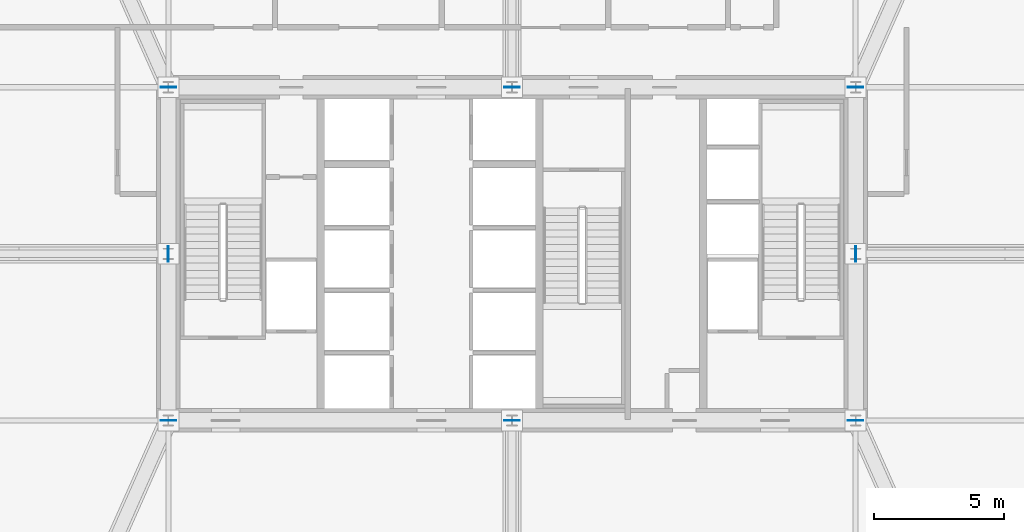
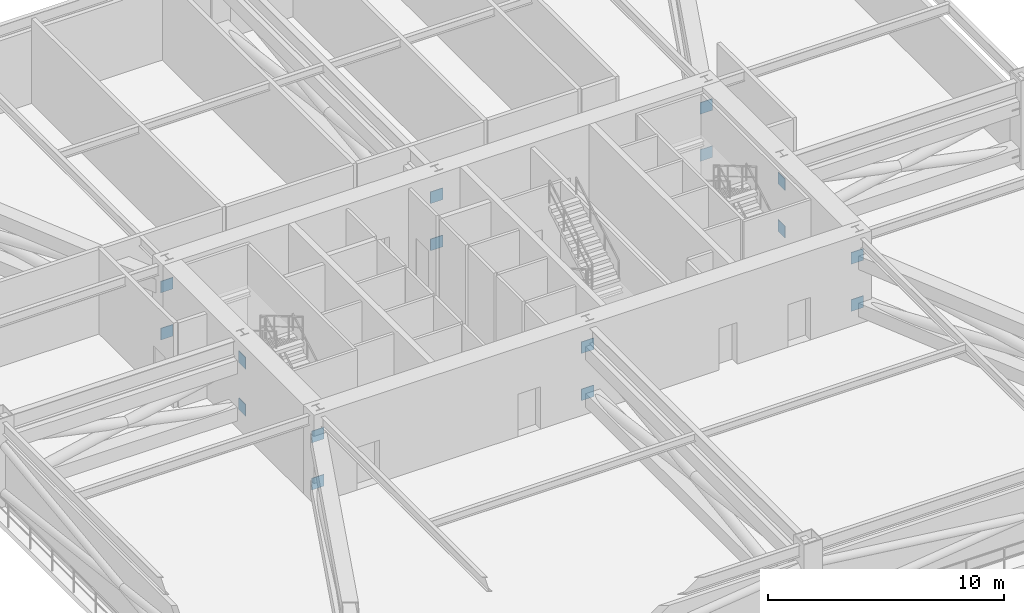
# One storey, part 7 of 11: 16 discrete accessories.
"""IFC4 building model written with IfcOpenShell, lengths in metres."""

import ifcopenshell
import ifcopenshell.guid

model = None  # the IFC model being written
_history = None  # IfcOwnerHistory: only IFC2X3 demands one
_inside = {}  # id of a spatial element -> (the spatial element, [elements in it])
_under = {}  # id of a project, library or spatial element -> (it, [spatial elements below it])
_declared = {}  # id of a project -> (the project, [libraries it declares])
_typed = {}  # id of a type object -> (the type object, [elements of that type])
_made_of = {}  # id of a material, layer set ... -> (it, [elements and type objects made of it])


def new_model(schema):
    """Start an empty IFC model of exactly this schema.

    Asked for "IFC4X3", IfcOpenShell would pick the latest addendum, in which some entities
    have other attributes; the version numbers below select the first issue.
    IFC2X3 requires an IfcOwnerHistory on every rooted entity: one is made here for all.
    """
    global model, _history
    if schema == "IFC4X3":
        model = ifcopenshell.file(schema_version=(4, 3, 0, 0))
    else:
        model = ifcopenshell.file(schema=schema)
    _inside.clear()
    _under.clear()
    _declared.clear()
    _typed.clear()
    _made_of.clear()
    _history = None
    if model.schema == "IFC2X3":
        org = make("IfcOrganization", Name="unknown")
        user = make(
            "IfcPersonAndOrganization",
            ThePerson=make("IfcPerson", FamilyName="unknown"),
            TheOrganization=org,
        )
        app = make(
            "IfcApplication",
            ApplicationDeveloper=org,
            Version="unknown",
            ApplicationFullName="unknown",
            ApplicationIdentifier="unknown",
        )
        _history = make(
            "IfcOwnerHistory",
            OwningUser=user,
            OwningApplication=app,
            ChangeAction="ADDED",
            CreationDate=0,
        )
    return model


def make(cls, **values):
    """One entity of the class cls with the attributes given. An attribute that is None is left unset."""
    return model.create_entity(
        cls, **{name: value for name, value in values.items() if value is not None}
    )


def rooted(cls, **values):
    """An entity with a GlobalId (a new one), such as an element, a storey or a relation."""
    return make(cls, GlobalId=ifcopenshell.guid.new(), OwnerHistory=_history, **values)


def si_unit(unit_type, name, prefix=None):
    """IfcSIUnit, for example si_unit("LENGTHUNIT", "METRE", prefix="MILLI")."""
    return make("IfcSIUnit", UnitType=unit_type, Prefix=prefix, Name=name)


def assignment(units):
    """IfcUnitAssignment: the units of a project."""
    return None if units is None else make("IfcUnitAssignment", Units=units)


def point(xyz):
    """IfcCartesianPoint."""
    return None if xyz is None else make("IfcCartesianPoint", Coordinates=xyz)


def direction(xyz):
    """IfcDirection."""
    return None if xyz is None else make("IfcDirection", DirectionRatios=xyz)


def frame(location, z_axis=None, x_axis=None):
    """IfcAxis2Placement3D, a coordinate frame: its origin and axes. An axis left out is left unset."""
    return make(
        "IfcAxis2Placement3D",
        Location=point(location),
        Axis=direction(z_axis),
        RefDirection=direction(x_axis),
    )


def frame_2d(location, x_axis=None):
    """IfcAxis2Placement2D, a coordinate frame in the plane: its origin and x axis."""
    return make(
        "IfcAxis2Placement2D", Location=point(location), RefDirection=direction(x_axis)
    )


def origin():
    """The frame at (0, 0, 0) with its axes left unset."""
    return frame((0.0, 0.0, 0.0))


def origin_2d():
    """The frame at (0, 0) in the plane with its x axis left unset."""
    return frame_2d((0.0, 0.0))


def place(relative_to, where):
    """IfcLocalPlacement: puts the frame where relative to a parent placement (None: the world)."""
    return make(
        "IfcLocalPlacement", PlacementRelTo=relative_to, RelativePlacement=where
    )


def context(
    kind, dimensions, precision=None, world=None, true_north=None, identifier=None
):
    """IfcGeometricRepresentationContext, for example the 3D "Model" context."""
    return make(
        "IfcGeometricRepresentationContext",
        ContextIdentifier=identifier,
        ContextType=kind,
        CoordinateSpaceDimension=dimensions,
        Precision=precision,
        WorldCoordinateSystem=world,
        TrueNorth=true_north,
    )


def subcontext(parent, identifier, kind, view, scale=None):
    """IfcGeometricRepresentationSubContext, for example "Body" below "Model"."""
    return make(
        "IfcGeometricRepresentationSubContext",
        ContextIdentifier=identifier,
        ContextType=kind,
        ParentContext=parent,
        TargetScale=scale,
        TargetView=view,
    )


def project(units=None, contexts=None):
    """IfcProject with its units and contexts."""
    return rooted(
        "IfcProject",
        Name="project",
        RepresentationContexts=contexts,
        UnitsInContext=assignment(units),
    )


def spatial(cls, under=None, at=None, **own):
    """A site, building, storey or space (cls), placed at a placement, below another one or the project."""
    s = rooted(cls, ObjectPlacement=at, **own)
    if under is not None:
        _under.setdefault(under.id(), (under, []))[1].append(s)
    return s


def profile(cls, at=None, kind="AREA", **sizes):
    """A parametric profile (cls). Its sizes go by their IFC names, for example OverallWidth=200.0."""
    return make(cls, ProfileType=kind, Position=at, **sizes)


def rectangle(**sizes):
    """IfcRectangleProfileDef."""
    return profile("IfcRectangleProfileDef", **sizes)


def extrude(swept, where, along, depth):
    """IfcExtrudedAreaSolid: the profile swept, set in the frame where, extruded along a direction by depth."""
    return make(
        "IfcExtrudedAreaSolid",
        SweptArea=swept,
        Position=where,
        ExtrudedDirection=direction(along),
        Depth=depth,
    )


def shape(context_of_items, identifier, shape_type, items):
    """IfcShapeRepresentation: the items that make up one representation, for example the "Body"."""
    return make(
        "IfcShapeRepresentation",
        ContextOfItems=context_of_items,
        RepresentationIdentifier=identifier,
        RepresentationType=shape_type,
        Items=items,
    )


def source(mapping_origin, context_of_items, identifier, shape_type, items):
    """IfcRepresentationMap: a shape defined once, which mapped items show again and again."""
    return make(
        "IfcRepresentationMap",
        MappingOrigin=mapping_origin,
        MappedRepresentation=shape(context_of_items, identifier, shape_type, items),
    )


def transform(
    local_origin,
    x_axis=None,
    y_axis=None,
    z_axis=None,
    scale=None,
    scale2=None,
    scale3=None,
    uniform=True,
):
    """IfcCartesianTransformationOperator3D, or its non-uniform kind. x_axis, y_axis, z_axis: its Axis1, 2, 3."""
    if uniform:
        return make(
            "IfcCartesianTransformationOperator3D",
            Axis1=direction(x_axis),
            Axis2=direction(y_axis),
            LocalOrigin=point(local_origin),
            Scale=scale,
            Axis3=direction(z_axis),
        )
    return make(
        "IfcCartesianTransformationOperator3DnonUniform",
        Axis1=direction(x_axis),
        Axis2=direction(y_axis),
        LocalOrigin=point(local_origin),
        Scale=scale,
        Axis3=direction(z_axis),
        Scale2=scale2,
        Scale3=scale3,
    )


def mapped(mapping_source, mapping_target):
    """IfcMappedItem: shows the shape of a source again, moved by a transform."""
    return make(
        "IfcMappedItem", MappingSource=mapping_source, MappingTarget=mapping_target
    )


def material(Name=None, Category=None):
    """IfcMaterial."""
    return make("IfcMaterial", Name=Name, Category=Category)


def layer(
    of_material, thickness, ventilated=None, Name=None, Category=None, Priority=None
):
    """IfcMaterialLayer: one layer of a wall or slab, of a material (None: an air gap)."""
    return make(
        "IfcMaterialLayer",
        Material=of_material,
        LayerThickness=thickness,
        IsVentilated=ventilated,
        Name=Name,
        Category=Category,
        Priority=Priority,
    )


def layer_set(layers, Name=None):
    """IfcMaterialLayerSet."""
    return make("IfcMaterialLayerSet", MaterialLayers=layers, LayerSetName=Name)


def made_of(thing, what):
    """Note that an element or type object is made of a material, layer set ...; save() writes the relation."""
    if what is not None:
        _made_of.setdefault(what.id(), (what, []))[1].append(thing)
    return thing


def type_object(cls, material=None, **own):
    """A type object (cls), such as IfcWallType, which elements share."""
    return made_of(rooted(cls, **own), material)


def element(
    cls,
    number,
    at=None,
    inside=None,
    cuts=None,
    type_object=None,
    material=None,
    context=None,
    identifier="Body",
    shape_type=None,
    held_by="IfcProductDefinitionShape",
    body=None,
    shapes=None,
    **own,
):
    """One element of the class cls, such as IfcWall. Its Tag is "e" and its number.

    at: its placement. inside: the storey or other place that contains it. cuts: it is an
    opening in that element (IfcRelVoidsElement). A single representation is given by context,
    identifier, shape_type and body (its items); several are given by shapes. held_by: the class
    of the entity that holds the representations. save() writes the other relations.
    """
    e = rooted(cls, Tag="e%d" % number, ObjectPlacement=at, **own)
    if body is not None:
        shapes = [shape(context, identifier, shape_type, body)]
    if shapes is not None:
        e.Representation = make(held_by, Representations=shapes)
    if inside is not None:
        _inside.setdefault(inside.id(), (inside, []))[1].append(e)
    if cuts is not None:
        rooted(
            "IfcRelVoidsElement", RelatingBuildingElement=cuts, RelatedOpeningElement=e
        )
    if type_object is not None:
        _typed.setdefault(type_object.id(), (type_object, []))[1].append(e)
    return made_of(e, material)


def aggregate(whole, parts):
    """IfcRelAggregates: a whole, such as a stair, and the parts it consists of."""
    return rooted("IfcRelAggregates", RelatingObject=whole, RelatedObjects=parts)


def save(model, path):
    """Write the relations noted so far, then the file.

    IfcRelAggregates (storeys below a building ...), IfcRelContainedInSpatialStructure (elements
    in a storey), IfcRelDefinesByType, IfcRelAssociatesMaterial and IfcRelDeclares: one each for
    every whole, place, type object, material and project.
    """
    for whole, parts in _under.values():
        aggregate(whole, parts)
    for where, things in _inside.values():
        rooted(
            "IfcRelContainedInSpatialStructure",
            RelatedElements=things,
            RelatingStructure=where,
        )
    for kind, things in _typed.values():
        rooted("IfcRelDefinesByType", RelatedObjects=things, RelatingType=kind)
    for what, things in _made_of.values():
        rooted("IfcRelAssociatesMaterial", RelatedObjects=things, RelatingMaterial=what)
    for by, libraries in _declared.values():
        rooted("IfcRelDeclares", RelatingContext=by, RelatedDefinitions=libraries)
    model.write(path)


model = new_model("IFC4")

# Units and contexts
model_context = context("Model", 3, precision=1e-05, world=origin(), true_north=direction((0.0, 1.0)))
body_context = subcontext(model_context, "Body", "Model", "MODEL_VIEW")
ifc_project = project(units=[si_unit("LENGTHUNIT", "METRE"), si_unit("AREAUNIT", "SQUARE_METRE"), si_unit("VOLUMEUNIT", "CUBIC_METRE"), si_unit("PLANEANGLEUNIT", "RADIAN"), si_unit("MASSUNIT", "GRAM", prefix="KILO"), si_unit("THERMODYNAMICTEMPERATUREUNIT", "KELVIN"), si_unit("POWERUNIT", "WATT")], contexts=[model_context])

# Site, building, storey
site_placement = place(None, origin())
site = spatial("IfcSite", under=ifc_project, at=site_placement, CompositionType="ELEMENT")
building_placement = place(site_placement, origin())
building = spatial("IfcBuilding", under=site, at=building_placement, Name="Yuzanri Waterfront Tower", CompositionType="ELEMENT")
storey_placement = place(building_placement, frame((0.0, 0.0, 41.39990234375)))
storey = spatial("IfcBuildingStorey", under=building, at=storey_placement, Name="L10", CompositionType="ELEMENT", Elevation=41.39990234375)

# Discrete accessories
ifc_material = material(Name="Steel Q355B", Category="steel")
ifc_layer = layer(ifc_material, 0.031982421875)
ifc_layer_set = layer_set([ifc_layer], Name="Steel Q355B")
discrete_accessory_type = type_object("IfcDiscreteAccessoryType", Name="Steel Q355B Core Wall Cast-In Embed Plate 600x600x32", PredefinedType="USERDEFINED", material=ifc_layer_set)
shared_shape = source(origin(), body_context, "Body", "SweptSolid", [
    extrude(rectangle(XDim=0.60009765625, YDim=0.031982421875, at=origin_2d()), origin(), (0.0, 0.0, 1.0), 0.60009765625),
])
for number, where, z_axis, x_axis, name in (
    (1, (37.0, 19.39990234375, 0.420166015625), (0.0, 0.0, 1.0), (1.0, 0.0, 0.0), "Core Wall Cast-In Embed Plate EP-01"),
    (2, (37.0, 19.39990234375, 2.860107421875), (0.0, 0.0, 1.0), (1.0, 0.0, 0.0), "Core Wall Cast-In Embed Plate EP-01"),
    (3, (37.0, 32.199951171875, 0.420166015625), (0.0, 0.0, 1.0), (1.0, 0.0, 0.0), "Core Wall Cast-In Embed Plate EP-01"),
    (4, (37.0, 32.199951171875, 2.860107421875), (0.0, 0.0, 1.0), (1.0, 0.0, 0.0), "Core Wall Cast-In Embed Plate EP-01"),
    (5, (23.800048828125, 25.800048828125, 0.420166015625), (0.0, 0.0, 1.0), (0.0, 1.0, 0.0), "Core Wall Cast-In Embed Plate EP-01"),
    (6, (23.800048828125, 25.800048828125, 2.860107421875), (0.0, 0.0, 1.0), (0.0, 1.0, 0.0), "Core Wall Cast-In Embed Plate EP-01"),
    (7, (50.199951171875, 25.800048828125, 0.420166015625), (0.0, 0.0, 1.0), (0.0, 1.0, 0.0), "Core Wall Cast-In Embed Plate EP-01"),
    (8, (50.199951171875, 25.800048828125, 2.860107421875), (0.0, 0.0, 1.0), (0.0, 1.0, 0.0), "Core Wall Cast-In Embed Plate EP-01"),
    (9, (23.800048828125, 19.39990234375, 0.420166015625), (0.0, 0.0, 1.0), (1.0, 0.0, 0.0), "Core Wall Cast-In Embed Plate EP-01"),
    (10, (23.800048828125, 19.39990234375, 2.860107421875), (0.0, 0.0, 1.0), (1.0, 0.0, 0.0), "Core Wall Cast-In Embed Plate EP-01"),
    (11, (50.199951171875, 19.39990234375, 0.420166015625), (0.0, 0.0, 1.0), (1.0, 0.0, 0.0), "Core Wall Cast-In Embed Plate EP-01"),
    (12, (50.199951171875, 19.39990234375, 2.860107421875), (0.0, 0.0, 1.0), (1.0, 0.0, 0.0), "Core Wall Cast-In Embed Plate EP-01"),
    (13, (23.800048828125, 32.199951171875, 0.420166015625), (0.0, 0.0, 1.0), (1.0, 0.0, 0.0), "Core Wall Cast-In Embed Plate EP-01"),
    (14, (23.800048828125, 32.199951171875, 2.860107421875), (0.0, 0.0, 1.0), (1.0, 0.0, 0.0), "Core Wall Cast-In Embed Plate EP-01"),
    (15, (50.199951171875, 32.199951171875, 0.420166015625), (0.0, 0.0, 1.0), (1.0, 0.0, 0.0), "Core Wall Cast-In Embed Plate EP-01"),
    (16, (50.199951171875, 32.199951171875, 2.860107421875), (0.0, 0.0, 1.0), (1.0, 0.0, 0.0), "Core Wall Cast-In Embed Plate EP-01"),
):
    element("IfcDiscreteAccessory", number, at=place(storey_placement, frame(where, z_axis=z_axis, x_axis=x_axis)), inside=storey, type_object=discrete_accessory_type, Name=name, ObjectType="CAST-IN EMBED PLATE", PredefinedType="USERDEFINED", context=body_context, shape_type="MappedRepresentation", body=[
        mapped(shared_shape, transform((0.0, 0.0, 0.0), scale=1.0)),
    ])

save(model, "model.ifc")
